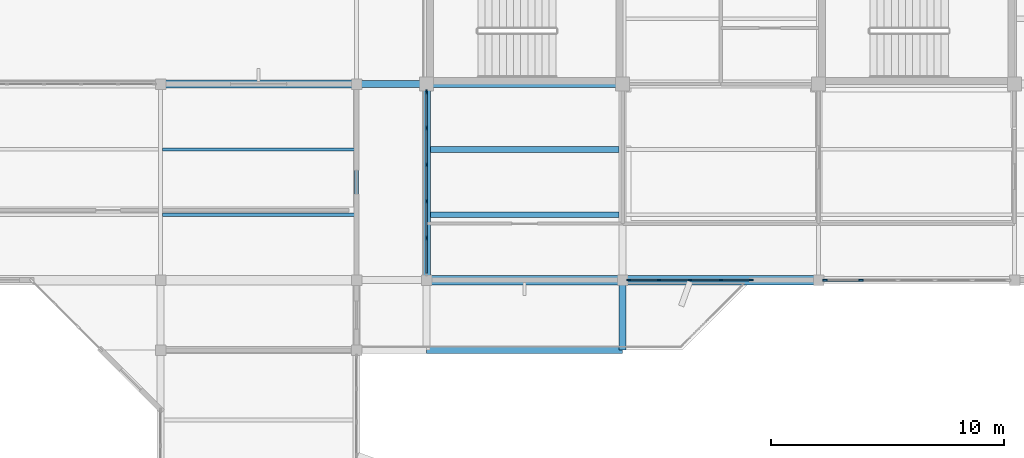
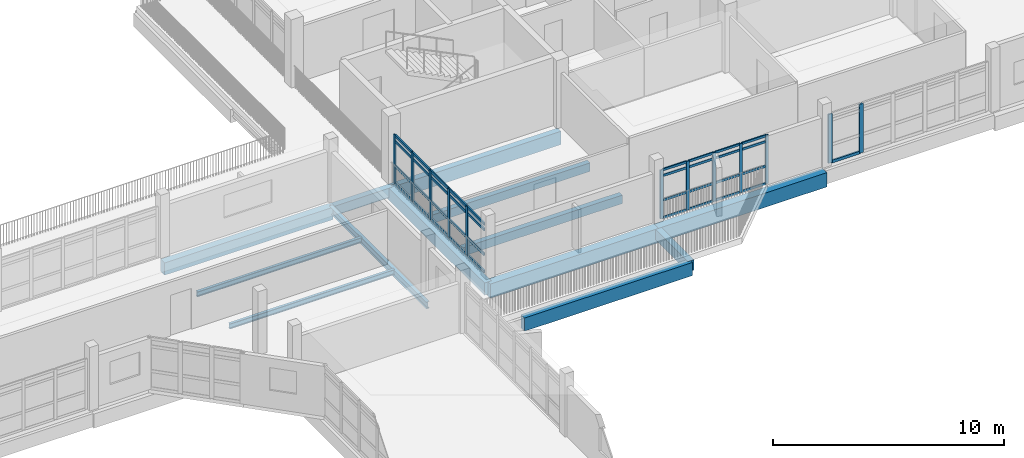
# One storey, part 10 of 33: 49 members, 13 beams, 3 elements without a shape of their own.
"""IFC4 building model written with IfcOpenShell, lengths in metres."""

from ifc_helpers import new_model, si_unit, direction, frame, origin, origin_2d, place, context, subcontext, project, spatial, rectangle, i_section, extrude, material, material_profile, profile_set, type_object, element, aggregate, save


model = new_model("IFC4")

# Units and contexts
model_context = context("Model", 3, precision=1e-05, world=origin(), true_north=direction((0.0, 1.0)))
body_context = subcontext(model_context, "Body", "Model", "MODEL_VIEW")
ifc_project = project(units=[si_unit("LENGTHUNIT", "METRE"), si_unit("AREAUNIT", "SQUARE_METRE"), si_unit("VOLUMEUNIT", "CUBIC_METRE"), si_unit("PLANEANGLEUNIT", "RADIAN"), si_unit("MASSUNIT", "GRAM", prefix="KILO")], contexts=[model_context])

# Site, building, storey
site_placement = place(None, origin())
site = spatial("IfcSite", under=ifc_project, at=site_placement, CompositionType="ELEMENT")
building_placement = place(site_placement, origin())
building = spatial("IfcBuilding", under=site, at=building_placement, Name="Vanh Quang Courtyard School", CompositionType="ELEMENT")
storey_placement = place(building_placement, frame((0.0, 0.0, 18.60009765625)))
storey = spatial("IfcBuildingStorey", under=building, at=storey_placement, Name="L05", CompositionType="ELEMENT", Elevation=18.60009765625)

# Beams
ifc_material_1 = material(Name="Concrete C35/45", Category="concrete")
ifc_material_profile_1 = material_profile(ifc_material_1, rectangle(XDim=0.300048828125, YDim=0.5, at=origin_2d()), Name="RC-BM 300x500")
ifc_profile_set_1 = profile_set([ifc_material_profile_1], Name="Concrete C35/45")
beam_type_1 = type_object("IfcBeamType", Name="BM-RC-300x500", PredefinedType="BEAM", material=ifc_profile_set_1)
beam_1_placement = place(storey_placement, frame((74.39990234375, 79.800048828125, -0.570068359375), z_axis=(1.0, 0.0, 0.0), x_axis=(0.0, 1.0, 0.0)))
element("IfcBeam", 1, at=beam_1_placement, inside=storey, type_object=beam_type_1, Name="Beam B-08 (L05)", PredefinedType="BEAM", context=body_context, shape_type="SweptSolid", body=[
    extrude(rectangle(XDim=0.300048828125, YDim=0.5, at=origin_2d()), origin(), (0.0, 0.0, 1.0), 3.0),
])
ifc_material_profile_2 = material_profile(ifc_material_1, rectangle(XDim=0.300048828125, YDim=0.550048828125, at=origin_2d()), Name="RC-BM 300x550")
ifc_profile_set_2 = profile_set([ifc_material_profile_2], Name="Concrete C35/45")
beam_type_2 = type_object("IfcBeamType", Name="BM-RC-300x550", PredefinedType="BEAM", material=ifc_profile_set_2)
beam_2_placement = place(storey_placement, frame((85.800048828125, 68.39990234375, -0.59521484375), z_axis=(0.0, 1.0, 0.0), x_axis=(-1.0, 0.0, 0.0)))
element("IfcBeam", 2, at=beam_2_placement, inside=storey, type_object=beam_type_2, Name="Beam B-07 (L05)", PredefinedType="BEAM", context=body_context, shape_type="SweptSolid", body=[
    extrude(rectangle(XDim=0.300048828125, YDim=0.550048828125, at=origin_2d()), origin(), (0.0, 0.0, 1.0), 3.0),
])
ifc_material_profile_3 = material_profile(ifc_material_1, rectangle(XDim=0.35009765625, YDim=0.64990234375, at=origin_2d()), Name="RC-BM 350x650")
ifc_profile_set_3 = profile_set([ifc_material_profile_3], Name="Concrete C35/45")
beam_type_3 = type_object("IfcBeamType", Name="BM-RC-350x650", PredefinedType="BEAM", material=ifc_profile_set_3)
beam_3_placement = place(storey_placement, frame((66.0, 79.800048828125, -0.64501953125), z_axis=(1.0, 0.0, 0.0), x_axis=(0.0, 1.0, 0.0)))
element("IfcBeam", 3, at=beam_3_placement, inside=storey, type_object=beam_type_3, Name="Beam B-05 (L05)", PredefinedType="BEAM", context=body_context, shape_type="SweptSolid", body=[
    extrude(rectangle(XDim=0.35009765625, YDim=0.64990234375, at=origin_2d()), origin(), (0.0, 0.0, 1.0), 8.39990234375),
])
beam_4_placement = place(storey_placement, frame((77.39990234375, 71.39990234375, -0.64501953125), z_axis=(0.0, 1.0, 0.0), x_axis=(-1.0, 0.0, 0.0)))
element("IfcBeam", 4, at=beam_4_placement, inside=storey, type_object=beam_type_3, Name="Beam B-05 (L05)", PredefinedType="BEAM", context=body_context, shape_type="SweptSolid", body=[
    extrude(rectangle(XDim=0.35009765625, YDim=0.64990234375, at=origin_2d()), origin(), (0.0, 0.0, 1.0), 8.400146484375),
])
ifc_material_profile_4 = material_profile(ifc_material_1, rectangle(XDim=0.39990234375, YDim=0.75, at=origin_2d()), Name="RC-BM 400x750")
ifc_profile_set_4 = profile_set([ifc_material_profile_4], Name="Concrete C35/45")
beam_type_4 = type_object("IfcBeamType", Name="BM-RC-400x750", PredefinedType="BEAM", material=ifc_profile_set_4)
beam_5_placement = place(storey_placement, frame((77.39990234375, 71.39990234375, -0.695068359375), z_axis=(1.0, 0.0, 0.0), x_axis=(0.0, 1.0, 0.0)))
element("IfcBeam", 5, at=beam_5_placement, inside=storey, type_object=beam_type_4, Name="Beam B-03 (L05)", PredefinedType="BEAM", context=body_context, shape_type="SweptSolid", body=[
    extrude(rectangle(XDim=0.39990234375, YDim=0.75, at=origin_2d()), origin(), (0.0, 0.0, 1.0), 8.400146484375),
])
beam_6_placement = place(storey_placement, frame((85.800048828125, 71.39990234375, -0.695068359375), z_axis=(1.0, 0.0, 0.0), x_axis=(0.0, 1.0, 0.0)))
element("IfcBeam", 6, at=beam_6_placement, inside=storey, type_object=beam_type_4, Name="Beam B-03 (L05)", PredefinedType="BEAM", context=body_context, shape_type="SweptSolid", body=[
    extrude(rectangle(XDim=0.39990234375, YDim=0.75, at=origin_2d()), origin(), (0.0, 0.0, 1.0), 8.39990234375),
])
ifc_material_profile_5 = material_profile(ifc_material_1, rectangle(XDim=0.300048828125, YDim=0.699951171875, at=origin_2d()), Name="RC-SP 300x700")
ifc_profile_set_5 = profile_set([ifc_material_profile_5], Name="Concrete C35/45")
beam_type_5 = type_object("IfcBeamType", Name="BM-SP-300x700", PredefinedType="SPANDREL", material=ifc_profile_set_5)
for number, where, z_axis, x_axis, name in (
    (7, (77.39990234375, 68.39990234375, -0.670166015625), (1.0, 0.0, 0.0), (0.0, 1.0, 0.0), "Beam BS-01 (L05)"),
    (8, (77.39990234375, 79.800048828125, -0.670166015625), (1.0, 0.0, 0.0), (0.0, 1.0, 0.0), "Beam BS-01 (L05)"),
):
    element("IfcBeam", number, at=place(storey_placement, frame(where, z_axis=z_axis, x_axis=x_axis)), inside=storey, type_object=beam_type_5, Name=name, PredefinedType="SPANDREL", context=body_context, shape_type="SweptSolid", body=[
        extrude(rectangle(XDim=0.300048828125, YDim=0.699951171875, at=origin_2d()), origin(), (0.0, 0.0, 1.0), 8.400146484375),
    ])
ifc_material_2 = material(Name="Structural steel EN 10025-2 S355J2", Category="steel")
ifc_material_profile_6 = material_profile(ifc_material_2, i_section(OverallWidth=0.169921875, OverallDepth=0.360107421875, WebThickness=0.008056640625, FlangeThickness=0.0126953125, FilletRadius=0.01806640625, at=origin_2d()), Name="IPE 360")
ifc_profile_set_6 = profile_set([ifc_material_profile_6], Name="Structural steel EN 10025-2 S355J2")
beam_type_6 = type_object("IfcBeamType", Name="BM-STL-IPE360", PredefinedType="BEAM", material=ifc_profile_set_6)
beam_7_placement = place(storey_placement, frame((74.39990234375, 71.39990234375, -0.5), z_axis=(0.0, 1.0, 0.0), x_axis=(-1.0, 0.0, 0.0)))
element("IfcBeam", 9, at=beam_7_placement, inside=storey, type_object=beam_type_6, Name="Beam SB-06 (L05)", PredefinedType="BEAM", context=body_context, shape_type="SweptSolid", body=[
    extrude(i_section(OverallWidth=0.169921875, OverallDepth=0.360107421875, WebThickness=0.008056640625, FlangeThickness=0.0126953125, FilletRadius=0.01806640625, at=origin_2d()), origin(), (0.0, 0.0, 1.0), 8.400146484375),
])

# Curtain wall, members
ifc_material_3 = material(Name="Thermally broken aluminium unitised curtain wall", Category="aluminium")
curtain_wall_type_1 = type_object("IfcCurtainWallType", Name="CW-SYS-67", PredefinedType="NOTDEFINED", material=ifc_material_3)
curtain_wall_1_placement = place(storey_placement, origin())
curtain_wall_1 = element("IfcCurtainWall", 10, at=curtain_wall_1_placement, inside=storey, type_object=curtain_wall_type_1, Name="Curtain Wall CW-67 (L05)", PredefinedType="NOTDEFINED")
ifc_material_4 = material(Name="Anodised aluminium 6063-T6", Category="aluminium")
ifc_material_profile_7 = material_profile(ifc_material_4, rectangle(XDim=0.06005859375, YDim=0.159912109375, at=origin_2d()), Name="ALU-MUL 60x160")
ifc_profile_set_7 = profile_set([ifc_material_profile_7], Name="Anodised aluminium 6063-T6")
member_type_1 = type_object("IfcMemberType", Name="CW-MUL-60x160", PredefinedType="MULLION", material=ifc_profile_set_7)
member_1_placement = place(storey_placement, frame((91.31396484375, 71.39990234375, 0.0), z_axis=(0.0, 0.0, 1.0), x_axis=(0.0, -1.0, 0.0)))
member_1 = element("IfcMember", 11, at=member_1_placement, type_object=member_type_1, Name="CW-67 mullion 1", PredefinedType="MULLION", context=body_context, shape_type="SweptSolid", body=[
    extrude(rectangle(XDim=0.06005859375, YDim=0.159912109375, at=origin_2d()), origin(), (0.0, 0.0, 1.0), 2.579833984375),
])
member_2_placement = place(storey_placement, frame((90.016357421875, 71.39990234375, 0.0), z_axis=(0.0, 0.0, 1.0), x_axis=(0.0, -1.0, 0.0)))
member_2 = element("IfcMember", 12, at=member_2_placement, type_object=member_type_1, Name="CW-67 mullion 2", PredefinedType="MULLION", context=body_context, shape_type="SweptSolid", body=[
    extrude(rectangle(XDim=0.06005859375, YDim=0.159912109375, at=origin_2d()), origin(), (0.0, 0.0, 1.0), 2.579833984375),
])
member_3_placement = place(storey_placement, frame((88.6884765625, 71.39990234375, 0.0), z_axis=(0.0, 0.0, 1.0), x_axis=(0.0, -1.0, 0.0)))
member_3 = element("IfcMember", 13, at=member_3_placement, type_object=member_type_1, Name="CW-67 mullion 3", PredefinedType="MULLION", context=body_context, shape_type="SweptSolid", body=[
    extrude(rectangle(XDim=0.06005859375, YDim=0.159912109375, at=origin_2d()), origin(), (0.0, 0.0, 1.0), 2.579833984375),
])
member_4_placement = place(storey_placement, frame((87.36083984375, 71.39990234375, 0.0), z_axis=(0.0, 0.0, 1.0), x_axis=(0.0, -1.0, 0.0)))
member_4 = element("IfcMember", 14, at=member_4_placement, type_object=member_type_1, Name="CW-67 mullion 4", PredefinedType="MULLION", context=body_context, shape_type="SweptSolid", body=[
    extrude(rectangle(XDim=0.06005859375, YDim=0.159912109375, at=origin_2d()), origin(), (0.0, 0.0, 1.0), 2.579833984375),
])
member_5_placement = place(storey_placement, frame((86.06298828125, 71.39990234375, 0.0), z_axis=(0.0, 0.0, 1.0), x_axis=(0.0, -1.0, 0.0)))
member_5 = element("IfcMember", 15, at=member_5_placement, type_object=member_type_1, Name="CW-67 mullion 5", PredefinedType="MULLION", context=body_context, shape_type="SweptSolid", body=[
    extrude(rectangle(XDim=0.06005859375, YDim=0.159912109375, at=origin_2d()), origin(), (0.0, 0.0, 1.0), 2.579833984375),
])

curtain_wall_type_2 = type_object("IfcCurtainWallType", Name="CW-SYS-19", PredefinedType="NOTDEFINED", material=ifc_material_3)
curtain_wall_2_placement = place(storey_placement, origin())
curtain_wall_2 = element("IfcCurtainWall", 16, at=curtain_wall_2_placement, inside=storey, type_object=curtain_wall_type_2, Name="Curtain Wall CW-19 (L05)", PredefinedType="NOTDEFINED")
ifc_material_profile_8 = material_profile(ifc_material_4, rectangle(XDim=0.070068359375, YDim=0.179931640625, at=origin_2d()), Name="ALU-MUL 70x180")
ifc_profile_set_8 = profile_set([ifc_material_profile_8], Name="Anodised aluminium 6063-T6")
member_type_2 = type_object("IfcMemberType", Name="CW-MUL-70x180", PredefinedType="MULLION", material=ifc_profile_set_8)
member_6_placement = place(storey_placement, frame((77.39990234375, 73.204833984375, 0.0), z_axis=(0.0, 0.0, 1.0), x_axis=(-1.0, 0.0, 0.0)))
member_6 = element("IfcMember", 17, at=member_6_placement, type_object=member_type_2, Name="CW-19 mullion 2", PredefinedType="MULLION", context=body_context, shape_type="SweptSolid", body=[
    extrude(rectangle(XDim=0.070068359375, YDim=0.179931640625, at=origin_2d()), origin(), (0.0, 0.0, 1.0), 2.579833984375),
])
member_7_placement = place(storey_placement, frame((77.39990234375, 74.776611328125, 0.0), z_axis=(0.0, 0.0, 1.0), x_axis=(-1.0, 0.0, 0.0)))
member_7 = element("IfcMember", 18, at=member_7_placement, type_object=member_type_2, Name="CW-19 mullion 3", PredefinedType="MULLION", context=body_context, shape_type="SweptSolid", body=[
    extrude(rectangle(XDim=0.070068359375, YDim=0.179931640625, at=origin_2d()), origin(), (0.0, 0.0, 1.0), 2.579833984375),
])
member_8_placement = place(storey_placement, frame((77.39990234375, 76.348388671875, 0.0), z_axis=(0.0, 0.0, 1.0), x_axis=(-1.0, 0.0, 0.0)))
member_8 = element("IfcMember", 19, at=member_8_placement, type_object=member_type_2, Name="CW-19 mullion 4", PredefinedType="MULLION", context=body_context, shape_type="SweptSolid", body=[
    extrude(rectangle(XDim=0.070068359375, YDim=0.179931640625, at=origin_2d()), origin(), (0.0, 0.0, 1.0), 2.579833984375),
])
member_9_placement = place(storey_placement, frame((77.39990234375, 77.920166015625, 0.0), z_axis=(0.0, 0.0, 1.0), x_axis=(-1.0, 0.0, 0.0)))
member_9 = element("IfcMember", 20, at=member_9_placement, type_object=member_type_2, Name="CW-19 mullion 5", PredefinedType="MULLION", context=body_context, shape_type="SweptSolid", body=[
    extrude(rectangle(XDim=0.070068359375, YDim=0.179931640625, at=origin_2d()), origin(), (0.0, 0.0, 1.0), 2.579833984375),
])
member_10_placement = place(storey_placement, frame((77.39990234375, 79.45703125, 0.0), z_axis=(0.0, 0.0, 1.0), x_axis=(-1.0, 0.0, 0.0)))
member_10 = element("IfcMember", 21, at=member_10_placement, type_object=member_type_2, Name="CW-19 mullion 6", PredefinedType="MULLION", context=body_context, shape_type="SweptSolid", body=[
    extrude(rectangle(XDim=0.070068359375, YDim=0.179931640625, at=origin_2d()), origin(), (0.0, 0.0, 1.0), 2.579833984375),
])

curtain_wall_3_placement = place(storey_placement, origin())
curtain_wall_3 = element("IfcCurtainWall", 22, at=curtain_wall_3_placement, inside=storey, type_object=curtain_wall_type_2, Name="Curtain Wall CW-19 (L05)", PredefinedType="NOTDEFINED")
ifc_material_profile_9 = material_profile(ifc_material_4, rectangle(XDim=0.080078125, YDim=0.199951171875, at=origin_2d()), Name="ALU-MUL 80x200")
ifc_profile_set_9 = profile_set([ifc_material_profile_9], Name="Anodised aluminium 6063-T6")
member_type_3 = type_object("IfcMemberType", Name="CW-MUL-80x200", PredefinedType="MULLION", material=ifc_profile_set_9)
member_11_placement = place(storey_placement, frame((96.019775390625, 71.39990234375, 0.0), z_axis=(0.0, 0.0, 1.0), x_axis=(0.0, -1.0, 0.0)))
member_11 = element("IfcMember", 23, at=member_11_placement, type_object=member_type_3, Name="CW-19 mullion 5", PredefinedType="MULLION", context=body_context, shape_type="SweptSolid", body=[
    extrude(rectangle(XDim=0.080078125, YDim=0.199951171875, at=origin_2d()), origin(), (0.0, 0.0, 1.0), 2.579833984375),
])
member_12_placement = place(storey_placement, frame((94.472900390625, 71.39990234375, 0.0), z_axis=(0.0, 0.0, 1.0), x_axis=(0.0, -1.0, 0.0)))
member_12 = element("IfcMember", 24, at=member_12_placement, type_object=member_type_3, Name="CW-19 mullion 6", PredefinedType="MULLION", context=body_context, shape_type="SweptSolid", body=[
    extrude(rectangle(XDim=0.080078125, YDim=0.199951171875, at=origin_2d()), origin(), (0.0, 0.0, 1.0), 2.579833984375),
])

# Member
ifc_material_profile_10 = material_profile(ifc_material_4, rectangle(XDim=0.06005859375, YDim=0.1201171875, at=origin_2d()), Name="ALU-TRN 60x120")
ifc_profile_set_10 = profile_set([ifc_material_profile_10], Name="Anodised aluminium 6063-T6")
member_type_4 = type_object("IfcMemberType", Name="CW-TRN-60x120", PredefinedType="USERDEFINED", material=ifc_profile_set_10)
member_13_placement = place(storey_placement, frame((91.283935546875, 71.39990234375, 0.02978515625), z_axis=(-1.0, 0.0, 0.0), x_axis=(0.0, -1.0, 0.0)))
member_13 = element("IfcMember", 25, at=member_13_placement, type_object=member_type_4, Name="CW-67 transom 1.1", ObjectType="TRANSOM", PredefinedType="USERDEFINED", context=body_context, shape_type="SweptSolid", body=[
    extrude(rectangle(XDim=0.06005859375, YDim=0.1201171875, at=origin_2d()), origin(), (0.0, 0.0, 1.0), 1.23779296875),
])

member_14_placement = place(storey_placement, frame((91.283935546875, 71.39990234375, 0.949951171875), z_axis=(-1.0, 0.0, 0.0), x_axis=(0.0, -1.0, 0.0)))
member_14 = element("IfcMember", 26, at=member_14_placement, type_object=member_type_4, Name="CW-67 transom 1.2", ObjectType="TRANSOM", PredefinedType="USERDEFINED", context=body_context, shape_type="SweptSolid", body=[
    extrude(rectangle(XDim=0.06005859375, YDim=0.1201171875, at=origin_2d()), origin(), (0.0, 0.0, 1.0), 1.23779296875),
])

member_15_placement = place(storey_placement, frame((91.283935546875, 71.39990234375, 2.25), z_axis=(-1.0, 0.0, 0.0), x_axis=(0.0, -1.0, 0.0)))
member_15 = element("IfcMember", 27, at=member_15_placement, type_object=member_type_4, Name="CW-67 transom 1.3", ObjectType="TRANSOM", PredefinedType="USERDEFINED", context=body_context, shape_type="SweptSolid", body=[
    extrude(rectangle(XDim=0.06005859375, YDim=0.1201171875, at=origin_2d()), origin(), (0.0, 0.0, 1.0), 1.23779296875),
])

member_16_placement = place(storey_placement, frame((91.283935546875, 71.39990234375, 2.5498046875), z_axis=(-1.0, 0.0, 0.0), x_axis=(0.0, -1.0, 0.0)))
member_16 = element("IfcMember", 28, at=member_16_placement, type_object=member_type_4, Name="CW-67 transom 1.4", ObjectType="TRANSOM", PredefinedType="USERDEFINED", context=body_context, shape_type="SweptSolid", body=[
    extrude(rectangle(XDim=0.06005859375, YDim=0.1201171875, at=origin_2d()), origin(), (0.0, 0.0, 1.0), 1.23779296875),
])

member_17_placement = place(storey_placement, frame((89.986328125, 71.39990234375, 0.02978515625), z_axis=(-1.0, 0.0, 0.0), x_axis=(0.0, -1.0, 0.0)))
member_17 = element("IfcMember", 29, at=member_17_placement, type_object=member_type_4, Name="CW-67 transom 2.1", ObjectType="TRANSOM", PredefinedType="USERDEFINED", context=body_context, shape_type="SweptSolid", body=[
    extrude(rectangle(XDim=0.06005859375, YDim=0.1201171875, at=origin_2d()), origin(), (0.0, 0.0, 1.0), 1.267822265625),
])

member_18_placement = place(storey_placement, frame((89.986328125, 71.39990234375, 0.949951171875), z_axis=(-1.0, 0.0, 0.0), x_axis=(0.0, -1.0, 0.0)))
member_18 = element("IfcMember", 30, at=member_18_placement, type_object=member_type_4, Name="CW-67 transom 2.2", ObjectType="TRANSOM", PredefinedType="USERDEFINED", context=body_context, shape_type="SweptSolid", body=[
    extrude(rectangle(XDim=0.06005859375, YDim=0.1201171875, at=origin_2d()), origin(), (0.0, 0.0, 1.0), 1.267822265625),
])

member_19_placement = place(storey_placement, frame((89.986328125, 71.39990234375, 2.25), z_axis=(-1.0, 0.0, 0.0), x_axis=(0.0, -1.0, 0.0)))
member_19 = element("IfcMember", 31, at=member_19_placement, type_object=member_type_4, Name="CW-67 transom 2.3", ObjectType="TRANSOM", PredefinedType="USERDEFINED", context=body_context, shape_type="SweptSolid", body=[
    extrude(rectangle(XDim=0.06005859375, YDim=0.1201171875, at=origin_2d()), origin(), (0.0, 0.0, 1.0), 1.267822265625),
])

member_20_placement = place(storey_placement, frame((89.986328125, 71.39990234375, 2.5498046875), z_axis=(-1.0, 0.0, 0.0), x_axis=(0.0, -1.0, 0.0)))
member_20 = element("IfcMember", 32, at=member_20_placement, type_object=member_type_4, Name="CW-67 transom 2.4", ObjectType="TRANSOM", PredefinedType="USERDEFINED", context=body_context, shape_type="SweptSolid", body=[
    extrude(rectangle(XDim=0.06005859375, YDim=0.1201171875, at=origin_2d()), origin(), (0.0, 0.0, 1.0), 1.267822265625),
])

member_21_placement = place(storey_placement, frame((88.658447265625, 71.39990234375, 0.02978515625), z_axis=(-1.0, 0.0, 0.0), x_axis=(0.0, -1.0, 0.0)))
member_21 = element("IfcMember", 33, at=member_21_placement, type_object=member_type_4, Name="CW-67 transom 3.1", ObjectType="TRANSOM", PredefinedType="USERDEFINED", context=body_context, shape_type="SweptSolid", body=[
    extrude(rectangle(XDim=0.06005859375, YDim=0.1201171875, at=origin_2d()), origin(), (0.0, 0.0, 1.0), 1.267578125),
])

member_22_placement = place(storey_placement, frame((88.658447265625, 71.39990234375, 0.949951171875), z_axis=(-1.0, 0.0, 0.0), x_axis=(0.0, -1.0, 0.0)))
member_22 = element("IfcMember", 34, at=member_22_placement, type_object=member_type_4, Name="CW-67 transom 3.2", ObjectType="TRANSOM", PredefinedType="USERDEFINED", context=body_context, shape_type="SweptSolid", body=[
    extrude(rectangle(XDim=0.06005859375, YDim=0.1201171875, at=origin_2d()), origin(), (0.0, 0.0, 1.0), 1.267578125),
])

member_23_placement = place(storey_placement, frame((88.658447265625, 71.39990234375, 2.25), z_axis=(-1.0, 0.0, 0.0), x_axis=(0.0, -1.0, 0.0)))
member_23 = element("IfcMember", 35, at=member_23_placement, type_object=member_type_4, Name="CW-67 transom 3.3", ObjectType="TRANSOM", PredefinedType="USERDEFINED", context=body_context, shape_type="SweptSolid", body=[
    extrude(rectangle(XDim=0.06005859375, YDim=0.1201171875, at=origin_2d()), origin(), (0.0, 0.0, 1.0), 1.267578125),
])

member_24_placement = place(storey_placement, frame((88.658447265625, 71.39990234375, 2.5498046875), z_axis=(-1.0, 0.0, 0.0), x_axis=(0.0, -1.0, 0.0)))
member_24 = element("IfcMember", 36, at=member_24_placement, type_object=member_type_4, Name="CW-67 transom 3.4", ObjectType="TRANSOM", PredefinedType="USERDEFINED", context=body_context, shape_type="SweptSolid", body=[
    extrude(rectangle(XDim=0.06005859375, YDim=0.1201171875, at=origin_2d()), origin(), (0.0, 0.0, 1.0), 1.267578125),
])

member_25_placement = place(storey_placement, frame((87.330810546875, 71.39990234375, 0.02978515625), z_axis=(-1.0, 0.0, 0.0), x_axis=(0.0, -1.0, 0.0)))
member_25 = element("IfcMember", 37, at=member_25_placement, type_object=member_type_4, Name="CW-67 transom 4.1", ObjectType="TRANSOM", PredefinedType="USERDEFINED", context=body_context, shape_type="SweptSolid", body=[
    extrude(rectangle(XDim=0.06005859375, YDim=0.1201171875, at=origin_2d()), origin(), (0.0, 0.0, 1.0), 1.23779296875),
])

member_26_placement = place(storey_placement, frame((87.330810546875, 71.39990234375, 0.949951171875), z_axis=(-1.0, 0.0, 0.0), x_axis=(0.0, -1.0, 0.0)))
member_26 = element("IfcMember", 38, at=member_26_placement, type_object=member_type_4, Name="CW-67 transom 4.2", ObjectType="TRANSOM", PredefinedType="USERDEFINED", context=body_context, shape_type="SweptSolid", body=[
    extrude(rectangle(XDim=0.06005859375, YDim=0.1201171875, at=origin_2d()), origin(), (0.0, 0.0, 1.0), 1.23779296875),
])

member_27_placement = place(storey_placement, frame((87.330810546875, 71.39990234375, 2.25), z_axis=(-1.0, 0.0, 0.0), x_axis=(0.0, -1.0, 0.0)))
member_27 = element("IfcMember", 39, at=member_27_placement, type_object=member_type_4, Name="CW-67 transom 4.3", ObjectType="TRANSOM", PredefinedType="USERDEFINED", context=body_context, shape_type="SweptSolid", body=[
    extrude(rectangle(XDim=0.06005859375, YDim=0.1201171875, at=origin_2d()), origin(), (0.0, 0.0, 1.0), 1.23779296875),
])

member_28_placement = place(storey_placement, frame((87.330810546875, 71.39990234375, 2.5498046875), z_axis=(-1.0, 0.0, 0.0), x_axis=(0.0, -1.0, 0.0)))
member_28 = element("IfcMember", 40, at=member_28_placement, type_object=member_type_4, Name="CW-67 transom 4.4", ObjectType="TRANSOM", PredefinedType="USERDEFINED", context=body_context, shape_type="SweptSolid", body=[
    extrude(rectangle(XDim=0.06005859375, YDim=0.1201171875, at=origin_2d()), origin(), (0.0, 0.0, 1.0), 1.23779296875),
])

aggregate(curtain_wall_1, [member_1, member_2, member_3, member_4, member_5, member_13, member_14, member_15, member_16, member_17, member_18, member_19, member_20, member_21, member_22, member_23, member_24, member_25, member_26, member_27, member_28])

ifc_material_profile_11 = material_profile(ifc_material_4, rectangle(XDim=0.070068359375, YDim=0.139892578125, at=origin_2d()), Name="ALU-TRN 70x140")
ifc_profile_set_11 = profile_set([ifc_material_profile_11], Name="Anodised aluminium 6063-T6")
member_type_5 = type_object("IfcMemberType", Name="CW-TRN-70x140", PredefinedType="USERDEFINED", material=ifc_profile_set_11)
member_29_placement = place(storey_placement, frame((77.39990234375, 71.702880859375, 0.034912109375), z_axis=(0.0, 1.0, 0.0), x_axis=(-1.0, 0.0, 0.0)))
member_29 = element("IfcMember", 41, at=member_29_placement, type_object=member_type_5, Name="CW-19 transom 1.1", ObjectType="TRANSOM", PredefinedType="USERDEFINED", context=body_context, shape_type="SweptSolid", body=[
    extrude(rectangle(XDim=0.070068359375, YDim=0.139892578125, at=origin_2d()), origin(), (0.0, 0.0, 1.0), 1.467041015625),
])

member_30_placement = place(storey_placement, frame((77.39990234375, 71.702880859375, 0.949951171875), z_axis=(0.0, 1.0, 0.0), x_axis=(-1.0, 0.0, 0.0)))
member_30 = element("IfcMember", 42, at=member_30_placement, type_object=member_type_5, Name="CW-19 transom 1.2", ObjectType="TRANSOM", PredefinedType="USERDEFINED", context=body_context, shape_type="SweptSolid", body=[
    extrude(rectangle(XDim=0.070068359375, YDim=0.139892578125, at=origin_2d()), origin(), (0.0, 0.0, 1.0), 1.467041015625),
])

member_31_placement = place(storey_placement, frame((77.39990234375, 71.702880859375, 2.25), z_axis=(0.0, 1.0, 0.0), x_axis=(-1.0, 0.0, 0.0)))
member_31 = element("IfcMember", 43, at=member_31_placement, type_object=member_type_5, Name="CW-19 transom 1.3", ObjectType="TRANSOM", PredefinedType="USERDEFINED", context=body_context, shape_type="SweptSolid", body=[
    extrude(rectangle(XDim=0.070068359375, YDim=0.139892578125, at=origin_2d()), origin(), (0.0, 0.0, 1.0), 1.467041015625),
])

member_32_placement = place(storey_placement, frame((77.39990234375, 71.702880859375, 2.544921875), z_axis=(0.0, 1.0, 0.0), x_axis=(-1.0, 0.0, 0.0)))
member_32 = element("IfcMember", 44, at=member_32_placement, type_object=member_type_5, Name="CW-19 transom 1.4", ObjectType="TRANSOM", PredefinedType="USERDEFINED", context=body_context, shape_type="SweptSolid", body=[
    extrude(rectangle(XDim=0.070068359375, YDim=0.139892578125, at=origin_2d()), origin(), (0.0, 0.0, 1.0), 1.467041015625),
])

member_33_placement = place(storey_placement, frame((77.39990234375, 73.23974609375, 0.034912109375), z_axis=(0.0, 1.0, 0.0), x_axis=(-1.0, 0.0, 0.0)))
member_33 = element("IfcMember", 45, at=member_33_placement, type_object=member_type_5, Name="CW-19 transom 2.1", ObjectType="TRANSOM", PredefinedType="USERDEFINED", context=body_context, shape_type="SweptSolid", body=[
    extrude(rectangle(XDim=0.070068359375, YDim=0.139892578125, at=origin_2d()), origin(), (0.0, 0.0, 1.0), 1.501953125),
])

member_34_placement = place(storey_placement, frame((77.39990234375, 73.23974609375, 0.949951171875), z_axis=(0.0, 1.0, 0.0), x_axis=(-1.0, 0.0, 0.0)))
member_34 = element("IfcMember", 46, at=member_34_placement, type_object=member_type_5, Name="CW-19 transom 2.2", ObjectType="TRANSOM", PredefinedType="USERDEFINED", context=body_context, shape_type="SweptSolid", body=[
    extrude(rectangle(XDim=0.070068359375, YDim=0.139892578125, at=origin_2d()), origin(), (0.0, 0.0, 1.0), 1.501953125),
])

member_35_placement = place(storey_placement, frame((77.39990234375, 73.23974609375, 2.25), z_axis=(0.0, 1.0, 0.0), x_axis=(-1.0, 0.0, 0.0)))
member_35 = element("IfcMember", 47, at=member_35_placement, type_object=member_type_5, Name="CW-19 transom 2.3", ObjectType="TRANSOM", PredefinedType="USERDEFINED", context=body_context, shape_type="SweptSolid", body=[
    extrude(rectangle(XDim=0.070068359375, YDim=0.139892578125, at=origin_2d()), origin(), (0.0, 0.0, 1.0), 1.501953125),
])

member_36_placement = place(storey_placement, frame((77.39990234375, 73.23974609375, 2.544921875), z_axis=(0.0, 1.0, 0.0), x_axis=(-1.0, 0.0, 0.0)))
member_36 = element("IfcMember", 48, at=member_36_placement, type_object=member_type_5, Name="CW-19 transom 2.4", ObjectType="TRANSOM", PredefinedType="USERDEFINED", context=body_context, shape_type="SweptSolid", body=[
    extrude(rectangle(XDim=0.070068359375, YDim=0.139892578125, at=origin_2d()), origin(), (0.0, 0.0, 1.0), 1.501953125),
])

member_37_placement = place(storey_placement, frame((77.39990234375, 74.8115234375, 0.034912109375), z_axis=(0.0, 1.0, 0.0), x_axis=(-1.0, 0.0, 0.0)))
member_37 = element("IfcMember", 49, at=member_37_placement, type_object=member_type_5, Name="CW-19 transom 3.1", ObjectType="TRANSOM", PredefinedType="USERDEFINED", context=body_context, shape_type="SweptSolid", body=[
    extrude(rectangle(XDim=0.070068359375, YDim=0.139892578125, at=origin_2d()), origin(), (0.0, 0.0, 1.0), 1.501953125),
])

member_38_placement = place(storey_placement, frame((77.39990234375, 74.8115234375, 0.949951171875), z_axis=(0.0, 1.0, 0.0), x_axis=(-1.0, 0.0, 0.0)))
member_38 = element("IfcMember", 50, at=member_38_placement, type_object=member_type_5, Name="CW-19 transom 3.2", ObjectType="TRANSOM", PredefinedType="USERDEFINED", context=body_context, shape_type="SweptSolid", body=[
    extrude(rectangle(XDim=0.070068359375, YDim=0.139892578125, at=origin_2d()), origin(), (0.0, 0.0, 1.0), 1.501953125),
])

member_39_placement = place(storey_placement, frame((77.39990234375, 74.8115234375, 2.25), z_axis=(0.0, 1.0, 0.0), x_axis=(-1.0, 0.0, 0.0)))
member_39 = element("IfcMember", 51, at=member_39_placement, type_object=member_type_5, Name="CW-19 transom 3.3", ObjectType="TRANSOM", PredefinedType="USERDEFINED", context=body_context, shape_type="SweptSolid", body=[
    extrude(rectangle(XDim=0.070068359375, YDim=0.139892578125, at=origin_2d()), origin(), (0.0, 0.0, 1.0), 1.501953125),
])

member_40_placement = place(storey_placement, frame((77.39990234375, 74.8115234375, 2.544921875), z_axis=(0.0, 1.0, 0.0), x_axis=(-1.0, 0.0, 0.0)))
member_40 = element("IfcMember", 52, at=member_40_placement, type_object=member_type_5, Name="CW-19 transom 3.4", ObjectType="TRANSOM", PredefinedType="USERDEFINED", context=body_context, shape_type="SweptSolid", body=[
    extrude(rectangle(XDim=0.070068359375, YDim=0.139892578125, at=origin_2d()), origin(), (0.0, 0.0, 1.0), 1.501953125),
])

member_41_placement = place(storey_placement, frame((77.39990234375, 76.38330078125, 0.034912109375), z_axis=(0.0, 1.0, 0.0), x_axis=(-1.0, 0.0, 0.0)))
member_41 = element("IfcMember", 53, at=member_41_placement, type_object=member_type_5, Name="CW-19 transom 4.1", ObjectType="TRANSOM", PredefinedType="USERDEFINED", context=body_context, shape_type="SweptSolid", body=[
    extrude(rectangle(XDim=0.070068359375, YDim=0.139892578125, at=origin_2d()), origin(), (0.0, 0.0, 1.0), 1.501953125),
])

member_42_placement = place(storey_placement, frame((77.39990234375, 76.38330078125, 0.949951171875), z_axis=(0.0, 1.0, 0.0), x_axis=(-1.0, 0.0, 0.0)))
member_42 = element("IfcMember", 54, at=member_42_placement, type_object=member_type_5, Name="CW-19 transom 4.2", ObjectType="TRANSOM", PredefinedType="USERDEFINED", context=body_context, shape_type="SweptSolid", body=[
    extrude(rectangle(XDim=0.070068359375, YDim=0.139892578125, at=origin_2d()), origin(), (0.0, 0.0, 1.0), 1.501953125),
])

member_43_placement = place(storey_placement, frame((77.39990234375, 76.38330078125, 2.25), z_axis=(0.0, 1.0, 0.0), x_axis=(-1.0, 0.0, 0.0)))
member_43 = element("IfcMember", 55, at=member_43_placement, type_object=member_type_5, Name="CW-19 transom 4.3", ObjectType="TRANSOM", PredefinedType="USERDEFINED", context=body_context, shape_type="SweptSolid", body=[
    extrude(rectangle(XDim=0.070068359375, YDim=0.139892578125, at=origin_2d()), origin(), (0.0, 0.0, 1.0), 1.501953125),
])

member_44_placement = place(storey_placement, frame((77.39990234375, 76.38330078125, 2.544921875), z_axis=(0.0, 1.0, 0.0), x_axis=(-1.0, 0.0, 0.0)))
member_44 = element("IfcMember", 56, at=member_44_placement, type_object=member_type_5, Name="CW-19 transom 4.4", ObjectType="TRANSOM", PredefinedType="USERDEFINED", context=body_context, shape_type="SweptSolid", body=[
    extrude(rectangle(XDim=0.070068359375, YDim=0.139892578125, at=origin_2d()), origin(), (0.0, 0.0, 1.0), 1.501953125),
])

member_45_placement = place(storey_placement, frame((77.39990234375, 77.955078125, 0.034912109375), z_axis=(0.0, 1.0, 0.0), x_axis=(-1.0, 0.0, 0.0)))
member_45 = element("IfcMember", 57, at=member_45_placement, type_object=member_type_5, Name="CW-19 transom 5.1", ObjectType="TRANSOM", PredefinedType="USERDEFINED", context=body_context, shape_type="SweptSolid", body=[
    extrude(rectangle(XDim=0.070068359375, YDim=0.139892578125, at=origin_2d()), origin(), (0.0, 0.0, 1.0), 1.467041015625),
])

member_46_placement = place(storey_placement, frame((77.39990234375, 77.955078125, 0.949951171875), z_axis=(0.0, 1.0, 0.0), x_axis=(-1.0, 0.0, 0.0)))
member_46 = element("IfcMember", 58, at=member_46_placement, type_object=member_type_5, Name="CW-19 transom 5.2", ObjectType="TRANSOM", PredefinedType="USERDEFINED", context=body_context, shape_type="SweptSolid", body=[
    extrude(rectangle(XDim=0.070068359375, YDim=0.139892578125, at=origin_2d()), origin(), (0.0, 0.0, 1.0), 1.467041015625),
])

member_47_placement = place(storey_placement, frame((77.39990234375, 77.955078125, 2.25), z_axis=(0.0, 1.0, 0.0), x_axis=(-1.0, 0.0, 0.0)))
member_47 = element("IfcMember", 59, at=member_47_placement, type_object=member_type_5, Name="CW-19 transom 5.3", ObjectType="TRANSOM", PredefinedType="USERDEFINED", context=body_context, shape_type="SweptSolid", body=[
    extrude(rectangle(XDim=0.070068359375, YDim=0.139892578125, at=origin_2d()), origin(), (0.0, 0.0, 1.0), 1.467041015625),
])

member_48_placement = place(storey_placement, frame((77.39990234375, 77.955078125, 2.544921875), z_axis=(0.0, 1.0, 0.0), x_axis=(-1.0, 0.0, 0.0)))
member_48 = element("IfcMember", 60, at=member_48_placement, type_object=member_type_5, Name="CW-19 transom 5.4", ObjectType="TRANSOM", PredefinedType="USERDEFINED", context=body_context, shape_type="SweptSolid", body=[
    extrude(rectangle(XDim=0.070068359375, YDim=0.139892578125, at=origin_2d()), origin(), (0.0, 0.0, 1.0), 1.467041015625),
])

aggregate(curtain_wall_2, [member_6, member_7, member_8, member_9, member_10, member_29, member_30, member_31, member_32, member_33, member_34, member_35, member_36, member_37, member_38, member_39, member_40, member_41, member_42, member_43, member_44, member_45, member_46, member_47, member_48])

ifc_material_profile_12 = material_profile(ifc_material_4, rectangle(XDim=0.080078125, YDim=0.14990234375, at=origin_2d()), Name="ALU-TRN 80x150")
ifc_profile_set_12 = profile_set([ifc_material_profile_12], Name="Anodised aluminium 6063-T6")
member_type_6 = type_object("IfcMemberType", Name="CW-TRN-80x150", PredefinedType="USERDEFINED", material=ifc_profile_set_12)
member_49_placement = place(storey_placement, frame((95.979736328125, 71.39990234375, 0.039794921875), z_axis=(-1.0, 0.0, 0.0), x_axis=(0.0, -1.0, 0.0)))
member_49 = element("IfcMember", 61, at=member_49_placement, type_object=member_type_6, Name="CW-19 transom 5.1", ObjectType="TRANSOM", PredefinedType="USERDEFINED", context=body_context, shape_type="SweptSolid", body=[
    extrude(rectangle(XDim=0.080078125, YDim=0.14990234375, at=origin_2d()), origin(), (0.0, 0.0, 1.0), 1.466796875),
])

aggregate(curtain_wall_3, [member_11, member_12, member_49])

# Beams
ifc_material_5 = material(Name="Concrete C30/37", Category="concrete")
ifc_material_profile_13 = material_profile(ifc_material_5, rectangle(XDim=0.25, YDim=0.449951171875, at=origin_2d()), Name="RC-JST 250x450")
ifc_profile_set_13 = profile_set([ifc_material_profile_13], Name="Concrete C30/37")
beam_type_7 = type_object("IfcBeamType", Name="JST-RC-250x450", PredefinedType="JOIST", material=ifc_profile_set_13)
for number, where, z_axis, x_axis, name in (
    (62, (77.574951171875, 74.199951171875, -0.47509765625), (1.0, 0.0, 0.0), (0.0, 1.0, 0.0), "Beam BJ-02 (L05)"),
    (63, (77.574951171875, 77.0, -0.47509765625), (1.0, 0.0, 0.0), (0.0, 1.0, 0.0), "Beam BJ-02 (L05)"),
):
    element("IfcBeam", number, at=place(storey_placement, frame(where, z_axis=z_axis, x_axis=x_axis)), inside=storey, type_object=beam_type_7, Name=name, PredefinedType="JOIST", context=body_context, shape_type="SweptSolid", body=[
        extrude(rectangle(XDim=0.25, YDim=0.449951171875, at=origin_2d()), origin(), (0.0, 0.0, 1.0), 8.074951171875),
    ])
ifc_material_profile_14 = material_profile(ifc_material_2, i_section(OverallWidth=0.135009765625, OverallDepth=0.27001953125, WebThickness=0.006591796875, FlangeThickness=0.01025390625, FilletRadius=0.014892578125, at=origin_2d()), Name="IPE 270")
ifc_profile_set_14 = profile_set([ifc_material_profile_14], Name="Structural steel EN 10025-2 S355J2")
beam_type_8 = type_object("IfcBeamType", Name="JST-STL-IPE270", PredefinedType="JOIST", material=ifc_profile_set_14)
for number, where, z_axis, x_axis, name in (
    (64, (66.090087890625, 74.199951171875, -0.385009765625), (1.0, 0.0, 0.0), (0.0, 1.0, 0.0), "Beam SJ-03 (L05)"),
    (65, (66.090087890625, 77.0, -0.385009765625), (1.0, 0.0, 0.0), (0.0, 1.0, 0.0), "Beam SJ-03 (L05)"),
):
    element("IfcBeam", number, at=place(storey_placement, frame(where, z_axis=z_axis, x_axis=x_axis)), inside=storey, type_object=beam_type_8, Name=name, PredefinedType="JOIST", context=body_context, shape_type="SweptSolid", body=[
        extrude(i_section(OverallWidth=0.135009765625, OverallDepth=0.27001953125, WebThickness=0.006591796875, FlangeThickness=0.01025390625, FilletRadius=0.014892578125, at=origin_2d()), origin(), (0.0, 0.0, 1.0), 8.224853515625),
    ])

save(model, "model.ifc")
